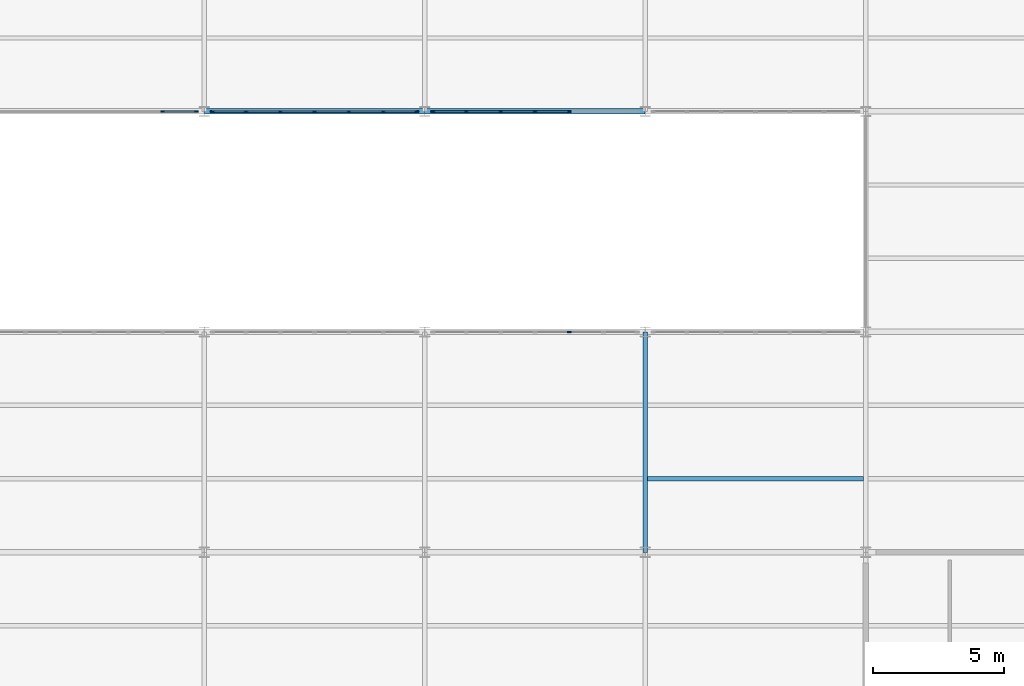
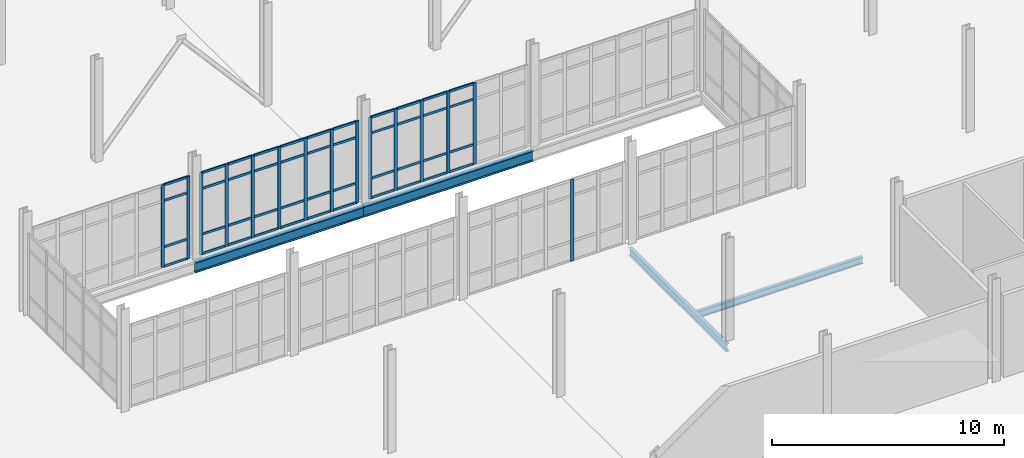
# One storey, part 34 of 111: 59 members, 4 beams, 4 elements without a shape of their own.
"""IFC4 building model written with IfcOpenShell, lengths in metres."""

from ifc_helpers import new_model, si_unit, direction, frame, origin, origin_2d, place, context, subcontext, project, spatial, rectangle, i_section, extrude, material, layer, layer_set, material_profile, profile_set, type_object, element, aggregate, save


model = new_model("IFC4")

# Units and contexts
model_context = context("Model", 3, precision=1e-05, world=origin(), true_north=direction((0.0, 1.0)))
body_context = subcontext(model_context, "Body", "Model", "MODEL_VIEW")
ifc_project = project(units=[si_unit("LENGTHUNIT", "METRE"), si_unit("AREAUNIT", "SQUARE_METRE"), si_unit("VOLUMEUNIT", "CUBIC_METRE"), si_unit("PLANEANGLEUNIT", "RADIAN"), si_unit("MASSUNIT", "GRAM", prefix="KILO"), si_unit("THERMODYNAMICTEMPERATUREUNIT", "KELVIN"), si_unit("POWERUNIT", "WATT")], contexts=[model_context])

# Site, building, storey
site_placement = place(None, origin())
site = spatial("IfcSite", under=ifc_project, at=site_placement, CompositionType="ELEMENT")
building_placement = place(site_placement, origin())
building = spatial("IfcBuilding", under=site, at=building_placement, Name="Tembeka Court Mobility Hub", CompositionType="ELEMENT")
storey_placement = place(building_placement, origin())
storey = spatial("IfcBuildingStorey", under=building, at=storey_placement, Name="L00", CompositionType="ELEMENT", Elevation=0.0)

# Beams
ifc_material_1 = material(Name="Steel S355", Category="steel")
ifc_material_profile_1 = material_profile(ifc_material_1, i_section(OverallWidth=0.177978515625, OverallDepth=0.406005859375, WebThickness=0.0078125, FlangeThickness=0.0126953125, FilletRadius=0.01025390625, at=origin_2d()), Name="UKB 406x178x60")
ifc_profile_set_1 = profile_set([ifc_material_profile_1], Name="Steel S355")
beam_type_1 = type_object("IfcBeamType", Name="BM-B02", PredefinedType="BEAM", material=ifc_profile_set_1)
beam_1_placement = place(storey_placement, frame((50.39990234375, 46.800048828125, -0.48291015625), z_axis=(0.0, 1.0, 0.0), x_axis=(-1.0, 0.0, 0.0)))
element("IfcBeam", 1, at=beam_1_placement, inside=storey, type_object=beam_type_1, Name="Beam B02 (BM-L00-Y0222)", PredefinedType="BEAM", context=body_context, shape_type="SweptSolid", body=[
    extrude(i_section(OverallWidth=0.177978515625, OverallDepth=0.406005859375, WebThickness=0.0078125, FlangeThickness=0.0126953125, FilletRadius=0.01025390625, at=origin_2d()), origin(), (0.0, 0.0, 1.0), 8.39990234375),
])
ifc_material_profile_2 = material_profile(ifc_material_1, i_section(OverallWidth=0.2099609375, OverallDepth=0.537109375, WebThickness=0.0107421875, FlangeThickness=0.017333984375, FilletRadius=0.0126953125, at=origin_2d()), Name="UKB 533x210x101")
ifc_profile_set_2 = profile_set([ifc_material_profile_2], Name="Steel S355")
beam_type_2 = type_object("IfcBeamType", Name="BM-G03", PredefinedType="USERDEFINED", material=ifc_profile_set_2)
for number, where, z_axis, x_axis, name in (
    (2, (33.60009765625, 63.60009765625, -0.548583984375), (1.0, 0.0, 0.0), (0.0, 1.0, 0.0), "Beam G03 (BM-L00-X0094)"),
    (3, (42.0, 63.60009765625, -0.548583984375), (1.0, 0.0, 0.0), (0.0, 1.0, 0.0), "Beam G03 (BM-L00-X0095)"),
):
    element("IfcBeam", number, at=place(storey_placement, frame(where, z_axis=z_axis, x_axis=x_axis)), inside=storey, type_object=beam_type_2, Name=name, ObjectType="GIRDER", PredefinedType="USERDEFINED", context=body_context, shape_type="SweptSolid", body=[
        extrude(i_section(OverallWidth=0.2099609375, OverallDepth=0.537109375, WebThickness=0.0107421875, FlangeThickness=0.017333984375, FilletRadius=0.0126953125, at=origin_2d()), origin(), (0.0, 0.0, 1.0), 8.39990234375),
    ])
ifc_material_profile_3 = material_profile(ifc_material_1, i_section(OverallWidth=0.169921875, OverallDepth=0.360107421875, WebThickness=0.008056640625, FlangeThickness=0.0126953125, FilletRadius=0.01806640625, at=origin_2d()), Name="IPE 360")
ifc_profile_set_3 = profile_set([ifc_material_profile_3], Name="Steel S355")
beam_type_3 = type_object("IfcBeamType", Name="BM-J03", PredefinedType="JOIST", material=ifc_profile_set_3)
beam_2_placement = place(storey_placement, frame((50.48388671875, 49.60009765625, -0.4599609375), z_axis=(1.0, 0.0, 0.0), x_axis=(0.0, 1.0, 0.0)))
element("IfcBeam", 4, at=beam_2_placement, inside=storey, type_object=beam_type_3, Name="Beam J03 (JST-L00-0439)", PredefinedType="JOIST", context=body_context, shape_type="SweptSolid", body=[
    extrude(i_section(OverallWidth=0.169921875, OverallDepth=0.360107421875, WebThickness=0.008056640625, FlangeThickness=0.0126953125, FilletRadius=0.01806640625, at=origin_2d()), origin(), (0.0, 0.0, 1.0), 8.232177734375),
])

# Curtain wall, members
ifc_material_2 = material(Name="Anodised aluminium 6063-T6", Category="aluminium")
ifc_layer_1 = layer(ifc_material_2, 0.159912109375)
ifc_layer_set_1 = layer_set([ifc_layer_1], Name="Anodised aluminium 6063-T6")
curtain_wall_type_1 = type_object("IfcCurtainWallType", Name="CW-SYS01", PredefinedType="USERDEFINED", material=ifc_layer_set_1)
curtain_wall_1_placement = place(storey_placement, origin())
curtain_wall_1 = element("IfcCurtainWall", 5, at=curtain_wall_1_placement, inside=storey, type_object=curtain_wall_type_1, Name="Unitised curtain wall CW01 (CW-L00-036)", ObjectType="UNITISED GLAZING", PredefinedType="USERDEFINED")
ifc_material_profile_4 = material_profile(ifc_material_2, rectangle(XDim=0.06494140625, YDim=0.159912109375, at=origin_2d()), Name="ALU-MUL 65x160")
ifc_profile_set_4 = profile_set([ifc_material_profile_4], Name="Anodised aluminium 6063-T6")
member_type_1 = type_object("IfcMemberType", Name="CW-MUL01", PredefinedType="MULLION", material=ifc_profile_set_4)
member_1_placement = place(storey_placement, frame((32.013427734375, 63.60009765625, 0.0), z_axis=(0.0, 0.0, 1.0), x_axis=(0.0, 1.0, 0.0)))
member_1 = element("IfcMember", 6, at=member_1_placement, type_object=member_type_1, Name="CW01 mullion 6", PredefinedType="MULLION", context=body_context, shape_type="SweptSolid", body=[
    extrude(rectangle(XDim=0.06494140625, YDim=0.159912109375, at=origin_2d()), origin(), (0.0, 0.0, 1.0), 4.3349609375),
])
member_2_placement = place(storey_placement, frame((33.28759765625, 63.60009765625, 0.0), z_axis=(0.0, 0.0, 1.0), x_axis=(0.0, 1.0, 0.0)))
member_2 = element("IfcMember", 7, at=member_2_placement, type_object=member_type_1, Name="CW01 mullion 7", PredefinedType="MULLION", context=body_context, shape_type="SweptSolid", body=[
    extrude(rectangle(XDim=0.06494140625, YDim=0.159912109375, at=origin_2d()), origin(), (0.0, 0.0, 1.0), 4.3349609375),
])

ifc_layer_2 = layer(ifc_material_2, 0.159912109375)
ifc_layer_set_2 = layer_set([ifc_layer_2], Name="Anodised aluminium 6063-T6")
curtain_wall_type_2 = type_object("IfcCurtainWallType", Name="CW-SYS21", PredefinedType="USERDEFINED", material=ifc_layer_set_2)
curtain_wall_2_placement = place(storey_placement, origin())
curtain_wall_2 = element("IfcCurtainWall", 8, at=curtain_wall_2_placement, inside=storey, type_object=curtain_wall_type_2, Name="Unitised curtain wall CW21 (CW-L00-038)", ObjectType="UNITISED GLAZING", PredefinedType="USERDEFINED")
member_3_placement = place(storey_placement, frame((33.91259765625, 63.60009765625, 0.0), z_axis=(0.0, 0.0, 1.0), x_axis=(0.0, 1.0, 0.0)))
member_3 = element("IfcMember", 9, at=member_3_placement, type_object=member_type_1, Name="CW21 mullion 1", PredefinedType="MULLION", context=body_context, shape_type="SweptSolid", body=[
    extrude(rectangle(XDim=0.06494140625, YDim=0.159912109375, at=origin_2d()), origin(), (0.0, 0.0, 1.0), 4.304931640625),
])
member_4_placement = place(storey_placement, frame((35.186767578125, 63.60009765625, 0.0), z_axis=(0.0, 0.0, 1.0), x_axis=(0.0, 1.0, 0.0)))
member_4 = element("IfcMember", 10, at=member_4_placement, type_object=member_type_1, Name="CW21 mullion 2", PredefinedType="MULLION", context=body_context, shape_type="SweptSolid", body=[
    extrude(rectangle(XDim=0.06494140625, YDim=0.159912109375, at=origin_2d()), origin(), (0.0, 0.0, 1.0), 4.304931640625),
])
member_5_placement = place(storey_placement, frame((36.493408203125, 63.60009765625, 0.0), z_axis=(0.0, 0.0, 1.0), x_axis=(0.0, 1.0, 0.0)))
member_5 = element("IfcMember", 11, at=member_5_placement, type_object=member_type_1, Name="CW21 mullion 3", PredefinedType="MULLION", context=body_context, shape_type="SweptSolid", body=[
    extrude(rectangle(XDim=0.06494140625, YDim=0.159912109375, at=origin_2d()), origin(), (0.0, 0.0, 1.0), 4.304931640625),
])
member_6_placement = place(storey_placement, frame((37.800048828125, 63.60009765625, 0.0), z_axis=(0.0, 0.0, 1.0), x_axis=(0.0, 1.0, 0.0)))
member_6 = element("IfcMember", 12, at=member_6_placement, type_object=member_type_1, Name="CW21 mullion 4", PredefinedType="MULLION", context=body_context, shape_type="SweptSolid", body=[
    extrude(rectangle(XDim=0.06494140625, YDim=0.159912109375, at=origin_2d()), origin(), (0.0, 0.0, 1.0), 4.304931640625),
])
member_7_placement = place(storey_placement, frame((39.106689453125, 63.60009765625, 0.0), z_axis=(0.0, 0.0, 1.0), x_axis=(0.0, 1.0, 0.0)))
member_7 = element("IfcMember", 13, at=member_7_placement, type_object=member_type_1, Name="CW21 mullion 5", PredefinedType="MULLION", context=body_context, shape_type="SweptSolid", body=[
    extrude(rectangle(XDim=0.06494140625, YDim=0.159912109375, at=origin_2d()), origin(), (0.0, 0.0, 1.0), 4.304931640625),
])
member_8_placement = place(storey_placement, frame((40.413330078125, 63.60009765625, 0.0), z_axis=(0.0, 0.0, 1.0), x_axis=(0.0, 1.0, 0.0)))
member_8 = element("IfcMember", 14, at=member_8_placement, type_object=member_type_1, Name="CW21 mullion 6", PredefinedType="MULLION", context=body_context, shape_type="SweptSolid", body=[
    extrude(rectangle(XDim=0.06494140625, YDim=0.159912109375, at=origin_2d()), origin(), (0.0, 0.0, 1.0), 4.304931640625),
])
member_9_placement = place(storey_placement, frame((41.6875, 63.60009765625, 0.0), z_axis=(0.0, 0.0, 1.0), x_axis=(0.0, 1.0, 0.0)))
member_9 = element("IfcMember", 15, at=member_9_placement, type_object=member_type_1, Name="CW21 mullion 7", PredefinedType="MULLION", context=body_context, shape_type="SweptSolid", body=[
    extrude(rectangle(XDim=0.06494140625, YDim=0.159912109375, at=origin_2d()), origin(), (0.0, 0.0, 1.0), 4.304931640625),
])

# Curtain wall, member
curtain_wall_3_placement = place(storey_placement, origin())
curtain_wall_3 = element("IfcCurtainWall", 16, at=curtain_wall_3_placement, inside=storey, type_object=curtain_wall_type_2, Name="Unitised curtain wall CW21 (CW-L00-039)", ObjectType="UNITISED GLAZING", PredefinedType="USERDEFINED")
member_10_placement = place(storey_placement, frame((47.506591796875, 55.199951171875, 0.0), z_axis=(0.0, 0.0, 1.0), x_axis=(0.0, 1.0, 0.0)))
member_10 = element("IfcMember", 17, at=member_10_placement, type_object=member_type_1, Name="CW21 mullion 5", PredefinedType="MULLION", context=body_context, shape_type="SweptSolid", body=[
    extrude(rectangle(XDim=0.06494140625, YDim=0.159912109375, at=origin_2d()), origin(), (0.0, 0.0, 1.0), 4.294921875),
])
aggregate(curtain_wall_3, [member_10])

# Curtain wall, members
ifc_layer_3 = layer(ifc_material_2, 0.159912109375)
ifc_layer_set_3 = layer_set([ifc_layer_3], Name="Anodised aluminium 6063-T6")
curtain_wall_type_3 = type_object("IfcCurtainWallType", Name="CW-SYS22", PredefinedType="USERDEFINED", material=ifc_layer_set_3)
curtain_wall_4_placement = place(storey_placement, origin())
curtain_wall_4 = element("IfcCurtainWall", 18, at=curtain_wall_4_placement, inside=storey, type_object=curtain_wall_type_3, Name="Unitised curtain wall CW22 (CW-L00-040)", ObjectType="UNITISED GLAZING", PredefinedType="USERDEFINED")
member_11_placement = place(storey_placement, frame((42.3125, 63.60009765625, 0.0), z_axis=(0.0, 0.0, 1.0), x_axis=(0.0, 1.0, 0.0)))
member_11 = element("IfcMember", 19, at=member_11_placement, type_object=member_type_1, Name="CW22 mullion 1", PredefinedType="MULLION", context=body_context, shape_type="SweptSolid", body=[
    extrude(rectangle(XDim=0.06494140625, YDim=0.159912109375, at=origin_2d()), origin(), (0.0, 0.0, 1.0), 4.27490234375),
])
member_12_placement = place(storey_placement, frame((43.586669921875, 63.60009765625, 0.0), z_axis=(0.0, 0.0, 1.0), x_axis=(0.0, 1.0, 0.0)))
member_12 = element("IfcMember", 20, at=member_12_placement, type_object=member_type_1, Name="CW22 mullion 2", PredefinedType="MULLION", context=body_context, shape_type="SweptSolid", body=[
    extrude(rectangle(XDim=0.06494140625, YDim=0.159912109375, at=origin_2d()), origin(), (0.0, 0.0, 1.0), 4.27490234375),
])
member_13_placement = place(storey_placement, frame((44.893310546875, 63.60009765625, 0.0), z_axis=(0.0, 0.0, 1.0), x_axis=(0.0, 1.0, 0.0)))
member_13 = element("IfcMember", 21, at=member_13_placement, type_object=member_type_1, Name="CW22 mullion 3", PredefinedType="MULLION", context=body_context, shape_type="SweptSolid", body=[
    extrude(rectangle(XDim=0.06494140625, YDim=0.159912109375, at=origin_2d()), origin(), (0.0, 0.0, 1.0), 4.27490234375),
])
member_14_placement = place(storey_placement, frame((46.199951171875, 63.60009765625, 0.0), z_axis=(0.0, 0.0, 1.0), x_axis=(0.0, 1.0, 0.0)))
member_14 = element("IfcMember", 22, at=member_14_placement, type_object=member_type_1, Name="CW22 mullion 4", PredefinedType="MULLION", context=body_context, shape_type="SweptSolid", body=[
    extrude(rectangle(XDim=0.06494140625, YDim=0.159912109375, at=origin_2d()), origin(), (0.0, 0.0, 1.0), 4.27490234375),
])
member_15_placement = place(storey_placement, frame((47.506591796875, 63.60009765625, 0.0), z_axis=(0.0, 0.0, 1.0), x_axis=(0.0, 1.0, 0.0)))
member_15 = element("IfcMember", 23, at=member_15_placement, type_object=member_type_1, Name="CW22 mullion 5", PredefinedType="MULLION", context=body_context, shape_type="SweptSolid", body=[
    extrude(rectangle(XDim=0.06494140625, YDim=0.159912109375, at=origin_2d()), origin(), (0.0, 0.0, 1.0), 4.27490234375),
])

# Member
ifc_material_profile_5 = material_profile(ifc_material_2, rectangle(XDim=0.06494140625, YDim=0.1201171875, at=origin_2d()), Name="ALU-TRN 65x120")
ifc_profile_set_5 = profile_set([ifc_material_profile_5], Name="Anodised aluminium 6063-T6")
member_type_2 = type_object("IfcMemberType", Name="CW-TRN01", PredefinedType="USERDEFINED", material=ifc_profile_set_5)
member_16_placement = place(storey_placement, frame((32.0458984375, 63.60009765625, 0.032470703125), z_axis=(1.0, 0.0, 0.0), x_axis=(0.0, 1.0, 0.0)))
member_16 = element("IfcMember", 24, at=member_16_placement, type_object=member_type_2, Name="CW01 transom 6.1", ObjectType="TRANSOM", PredefinedType="USERDEFINED", context=body_context, shape_type="SweptSolid", body=[
    extrude(rectangle(XDim=0.06494140625, YDim=0.1201171875, at=origin_2d()), origin(), (0.0, 0.0, 1.0), 1.208984375),
])

member_17_placement = place(storey_placement, frame((32.0458984375, 63.60009765625, 1.050048828125), z_axis=(1.0, 0.0, 0.0), x_axis=(0.0, 1.0, 0.0)))
member_17 = element("IfcMember", 25, at=member_17_placement, type_object=member_type_2, Name="CW01 transom 6.2", ObjectType="TRANSOM", PredefinedType="USERDEFINED", context=body_context, shape_type="SweptSolid", body=[
    extrude(rectangle(XDim=0.06494140625, YDim=0.1201171875, at=origin_2d()), origin(), (0.0, 0.0, 1.0), 1.208984375),
])

member_18_placement = place(storey_placement, frame((32.0458984375, 63.60009765625, 3.485107421875), z_axis=(1.0, 0.0, 0.0), x_axis=(0.0, 1.0, 0.0)))
member_18 = element("IfcMember", 26, at=member_18_placement, type_object=member_type_2, Name="CW01 transom 6.3", ObjectType="TRANSOM", PredefinedType="USERDEFINED", context=body_context, shape_type="SweptSolid", body=[
    extrude(rectangle(XDim=0.06494140625, YDim=0.1201171875, at=origin_2d()), origin(), (0.0, 0.0, 1.0), 1.208984375),
])

member_19_placement = place(storey_placement, frame((32.0458984375, 63.60009765625, 4.302490234375), z_axis=(1.0, 0.0, 0.0), x_axis=(0.0, 1.0, 0.0)))
member_19 = element("IfcMember", 27, at=member_19_placement, type_object=member_type_2, Name="CW01 transom 6.4", ObjectType="TRANSOM", PredefinedType="USERDEFINED", context=body_context, shape_type="SweptSolid", body=[
    extrude(rectangle(XDim=0.06494140625, YDim=0.1201171875, at=origin_2d()), origin(), (0.0, 0.0, 1.0), 1.208984375),
])

aggregate(curtain_wall_1, [member_1, member_2, member_16, member_17, member_18, member_19])

member_20_placement = place(storey_placement, frame((33.945068359375, 63.60009765625, 0.032470703125), z_axis=(1.0, 0.0, 0.0), x_axis=(0.0, 1.0, 0.0)))
member_20 = element("IfcMember", 28, at=member_20_placement, type_object=member_type_2, Name="CW21 transom 1.1", ObjectType="TRANSOM", PredefinedType="USERDEFINED", context=body_context, shape_type="SweptSolid", body=[
    extrude(rectangle(XDim=0.06494140625, YDim=0.1201171875, at=origin_2d()), origin(), (0.0, 0.0, 1.0), 1.208984375),
])

member_21_placement = place(storey_placement, frame((33.945068359375, 63.60009765625, 1.050048828125), z_axis=(1.0, 0.0, 0.0), x_axis=(0.0, 1.0, 0.0)))
member_21 = element("IfcMember", 29, at=member_21_placement, type_object=member_type_2, Name="CW21 transom 1.2", ObjectType="TRANSOM", PredefinedType="USERDEFINED", context=body_context, shape_type="SweptSolid", body=[
    extrude(rectangle(XDim=0.06494140625, YDim=0.1201171875, at=origin_2d()), origin(), (0.0, 0.0, 1.0), 1.208984375),
])

member_22_placement = place(storey_placement, frame((33.945068359375, 63.60009765625, 3.455078125), z_axis=(1.0, 0.0, 0.0), x_axis=(0.0, 1.0, 0.0)))
member_22 = element("IfcMember", 30, at=member_22_placement, type_object=member_type_2, Name="CW21 transom 1.3", ObjectType="TRANSOM", PredefinedType="USERDEFINED", context=body_context, shape_type="SweptSolid", body=[
    extrude(rectangle(XDim=0.06494140625, YDim=0.1201171875, at=origin_2d()), origin(), (0.0, 0.0, 1.0), 1.208984375),
])

member_23_placement = place(storey_placement, frame((33.945068359375, 63.60009765625, 4.2724609375), z_axis=(1.0, 0.0, 0.0), x_axis=(0.0, 1.0, 0.0)))
member_23 = element("IfcMember", 31, at=member_23_placement, type_object=member_type_2, Name="CW21 transom 1.4", ObjectType="TRANSOM", PredefinedType="USERDEFINED", context=body_context, shape_type="SweptSolid", body=[
    extrude(rectangle(XDim=0.06494140625, YDim=0.1201171875, at=origin_2d()), origin(), (0.0, 0.0, 1.0), 1.208984375),
])

member_24_placement = place(storey_placement, frame((35.21923828125, 63.60009765625, 0.032470703125), z_axis=(1.0, 0.0, 0.0), x_axis=(0.0, 1.0, 0.0)))
member_24 = element("IfcMember", 32, at=member_24_placement, type_object=member_type_2, Name="CW21 transom 2.1", ObjectType="TRANSOM", PredefinedType="USERDEFINED", context=body_context, shape_type="SweptSolid", body=[
    extrude(rectangle(XDim=0.06494140625, YDim=0.1201171875, at=origin_2d()), origin(), (0.0, 0.0, 1.0), 1.24169921875),
])

member_25_placement = place(storey_placement, frame((35.21923828125, 63.60009765625, 1.050048828125), z_axis=(1.0, 0.0, 0.0), x_axis=(0.0, 1.0, 0.0)))
member_25 = element("IfcMember", 33, at=member_25_placement, type_object=member_type_2, Name="CW21 transom 2.2", ObjectType="TRANSOM", PredefinedType="USERDEFINED", context=body_context, shape_type="SweptSolid", body=[
    extrude(rectangle(XDim=0.06494140625, YDim=0.1201171875, at=origin_2d()), origin(), (0.0, 0.0, 1.0), 1.24169921875),
])

member_26_placement = place(storey_placement, frame((35.21923828125, 63.60009765625, 3.455078125), z_axis=(1.0, 0.0, 0.0), x_axis=(0.0, 1.0, 0.0)))
member_26 = element("IfcMember", 34, at=member_26_placement, type_object=member_type_2, Name="CW21 transom 2.3", ObjectType="TRANSOM", PredefinedType="USERDEFINED", context=body_context, shape_type="SweptSolid", body=[
    extrude(rectangle(XDim=0.06494140625, YDim=0.1201171875, at=origin_2d()), origin(), (0.0, 0.0, 1.0), 1.24169921875),
])

member_27_placement = place(storey_placement, frame((35.21923828125, 63.60009765625, 4.2724609375), z_axis=(1.0, 0.0, 0.0), x_axis=(0.0, 1.0, 0.0)))
member_27 = element("IfcMember", 35, at=member_27_placement, type_object=member_type_2, Name="CW21 transom 2.4", ObjectType="TRANSOM", PredefinedType="USERDEFINED", context=body_context, shape_type="SweptSolid", body=[
    extrude(rectangle(XDim=0.06494140625, YDim=0.1201171875, at=origin_2d()), origin(), (0.0, 0.0, 1.0), 1.24169921875),
])

member_28_placement = place(storey_placement, frame((36.52587890625, 63.60009765625, 0.032470703125), z_axis=(1.0, 0.0, 0.0), x_axis=(0.0, 1.0, 0.0)))
member_28 = element("IfcMember", 36, at=member_28_placement, type_object=member_type_2, Name="CW21 transom 3.1", ObjectType="TRANSOM", PredefinedType="USERDEFINED", context=body_context, shape_type="SweptSolid", body=[
    extrude(rectangle(XDim=0.06494140625, YDim=0.1201171875, at=origin_2d()), origin(), (0.0, 0.0, 1.0), 1.24169921875),
])

member_29_placement = place(storey_placement, frame((36.52587890625, 63.60009765625, 1.050048828125), z_axis=(1.0, 0.0, 0.0), x_axis=(0.0, 1.0, 0.0)))
member_29 = element("IfcMember", 37, at=member_29_placement, type_object=member_type_2, Name="CW21 transom 3.2", ObjectType="TRANSOM", PredefinedType="USERDEFINED", context=body_context, shape_type="SweptSolid", body=[
    extrude(rectangle(XDim=0.06494140625, YDim=0.1201171875, at=origin_2d()), origin(), (0.0, 0.0, 1.0), 1.24169921875),
])

member_30_placement = place(storey_placement, frame((36.52587890625, 63.60009765625, 3.455078125), z_axis=(1.0, 0.0, 0.0), x_axis=(0.0, 1.0, 0.0)))
member_30 = element("IfcMember", 38, at=member_30_placement, type_object=member_type_2, Name="CW21 transom 3.3", ObjectType="TRANSOM", PredefinedType="USERDEFINED", context=body_context, shape_type="SweptSolid", body=[
    extrude(rectangle(XDim=0.06494140625, YDim=0.1201171875, at=origin_2d()), origin(), (0.0, 0.0, 1.0), 1.24169921875),
])

member_31_placement = place(storey_placement, frame((36.52587890625, 63.60009765625, 4.2724609375), z_axis=(1.0, 0.0, 0.0), x_axis=(0.0, 1.0, 0.0)))
member_31 = element("IfcMember", 39, at=member_31_placement, type_object=member_type_2, Name="CW21 transom 3.4", ObjectType="TRANSOM", PredefinedType="USERDEFINED", context=body_context, shape_type="SweptSolid", body=[
    extrude(rectangle(XDim=0.06494140625, YDim=0.1201171875, at=origin_2d()), origin(), (0.0, 0.0, 1.0), 1.24169921875),
])

member_32_placement = place(storey_placement, frame((37.83251953125, 63.60009765625, 0.032470703125), z_axis=(1.0, 0.0, 0.0), x_axis=(0.0, 1.0, 0.0)))
member_32 = element("IfcMember", 40, at=member_32_placement, type_object=member_type_2, Name="CW21 transom 4.1", ObjectType="TRANSOM", PredefinedType="USERDEFINED", context=body_context, shape_type="SweptSolid", body=[
    extrude(rectangle(XDim=0.06494140625, YDim=0.1201171875, at=origin_2d()), origin(), (0.0, 0.0, 1.0), 1.24169921875),
])

member_33_placement = place(storey_placement, frame((37.83251953125, 63.60009765625, 1.050048828125), z_axis=(1.0, 0.0, 0.0), x_axis=(0.0, 1.0, 0.0)))
member_33 = element("IfcMember", 41, at=member_33_placement, type_object=member_type_2, Name="CW21 transom 4.2", ObjectType="TRANSOM", PredefinedType="USERDEFINED", context=body_context, shape_type="SweptSolid", body=[
    extrude(rectangle(XDim=0.06494140625, YDim=0.1201171875, at=origin_2d()), origin(), (0.0, 0.0, 1.0), 1.24169921875),
])

member_34_placement = place(storey_placement, frame((37.83251953125, 63.60009765625, 3.455078125), z_axis=(1.0, 0.0, 0.0), x_axis=(0.0, 1.0, 0.0)))
member_34 = element("IfcMember", 42, at=member_34_placement, type_object=member_type_2, Name="CW21 transom 4.3", ObjectType="TRANSOM", PredefinedType="USERDEFINED", context=body_context, shape_type="SweptSolid", body=[
    extrude(rectangle(XDim=0.06494140625, YDim=0.1201171875, at=origin_2d()), origin(), (0.0, 0.0, 1.0), 1.24169921875),
])

member_35_placement = place(storey_placement, frame((37.83251953125, 63.60009765625, 4.2724609375), z_axis=(1.0, 0.0, 0.0), x_axis=(0.0, 1.0, 0.0)))
member_35 = element("IfcMember", 43, at=member_35_placement, type_object=member_type_2, Name="CW21 transom 4.4", ObjectType="TRANSOM", PredefinedType="USERDEFINED", context=body_context, shape_type="SweptSolid", body=[
    extrude(rectangle(XDim=0.06494140625, YDim=0.1201171875, at=origin_2d()), origin(), (0.0, 0.0, 1.0), 1.24169921875),
])

member_36_placement = place(storey_placement, frame((39.13916015625, 63.60009765625, 0.032470703125), z_axis=(1.0, 0.0, 0.0), x_axis=(0.0, 1.0, 0.0)))
member_36 = element("IfcMember", 44, at=member_36_placement, type_object=member_type_2, Name="CW21 transom 5.1", ObjectType="TRANSOM", PredefinedType="USERDEFINED", context=body_context, shape_type="SweptSolid", body=[
    extrude(rectangle(XDim=0.06494140625, YDim=0.1201171875, at=origin_2d()), origin(), (0.0, 0.0, 1.0), 1.24169921875),
])

member_37_placement = place(storey_placement, frame((39.13916015625, 63.60009765625, 1.050048828125), z_axis=(1.0, 0.0, 0.0), x_axis=(0.0, 1.0, 0.0)))
member_37 = element("IfcMember", 45, at=member_37_placement, type_object=member_type_2, Name="CW21 transom 5.2", ObjectType="TRANSOM", PredefinedType="USERDEFINED", context=body_context, shape_type="SweptSolid", body=[
    extrude(rectangle(XDim=0.06494140625, YDim=0.1201171875, at=origin_2d()), origin(), (0.0, 0.0, 1.0), 1.24169921875),
])

member_38_placement = place(storey_placement, frame((39.13916015625, 63.60009765625, 3.455078125), z_axis=(1.0, 0.0, 0.0), x_axis=(0.0, 1.0, 0.0)))
member_38 = element("IfcMember", 46, at=member_38_placement, type_object=member_type_2, Name="CW21 transom 5.3", ObjectType="TRANSOM", PredefinedType="USERDEFINED", context=body_context, shape_type="SweptSolid", body=[
    extrude(rectangle(XDim=0.06494140625, YDim=0.1201171875, at=origin_2d()), origin(), (0.0, 0.0, 1.0), 1.24169921875),
])

member_39_placement = place(storey_placement, frame((39.13916015625, 63.60009765625, 4.2724609375), z_axis=(1.0, 0.0, 0.0), x_axis=(0.0, 1.0, 0.0)))
member_39 = element("IfcMember", 47, at=member_39_placement, type_object=member_type_2, Name="CW21 transom 5.4", ObjectType="TRANSOM", PredefinedType="USERDEFINED", context=body_context, shape_type="SweptSolid", body=[
    extrude(rectangle(XDim=0.06494140625, YDim=0.1201171875, at=origin_2d()), origin(), (0.0, 0.0, 1.0), 1.24169921875),
])

member_40_placement = place(storey_placement, frame((40.44580078125, 63.60009765625, 0.032470703125), z_axis=(1.0, 0.0, 0.0), x_axis=(0.0, 1.0, 0.0)))
member_40 = element("IfcMember", 48, at=member_40_placement, type_object=member_type_2, Name="CW21 transom 6.1", ObjectType="TRANSOM", PredefinedType="USERDEFINED", context=body_context, shape_type="SweptSolid", body=[
    extrude(rectangle(XDim=0.06494140625, YDim=0.1201171875, at=origin_2d()), origin(), (0.0, 0.0, 1.0), 1.209228515625),
])

member_41_placement = place(storey_placement, frame((40.44580078125, 63.60009765625, 1.050048828125), z_axis=(1.0, 0.0, 0.0), x_axis=(0.0, 1.0, 0.0)))
member_41 = element("IfcMember", 49, at=member_41_placement, type_object=member_type_2, Name="CW21 transom 6.2", ObjectType="TRANSOM", PredefinedType="USERDEFINED", context=body_context, shape_type="SweptSolid", body=[
    extrude(rectangle(XDim=0.06494140625, YDim=0.1201171875, at=origin_2d()), origin(), (0.0, 0.0, 1.0), 1.209228515625),
])

member_42_placement = place(storey_placement, frame((40.44580078125, 63.60009765625, 3.455078125), z_axis=(1.0, 0.0, 0.0), x_axis=(0.0, 1.0, 0.0)))
member_42 = element("IfcMember", 50, at=member_42_placement, type_object=member_type_2, Name="CW21 transom 6.3", ObjectType="TRANSOM", PredefinedType="USERDEFINED", context=body_context, shape_type="SweptSolid", body=[
    extrude(rectangle(XDim=0.06494140625, YDim=0.1201171875, at=origin_2d()), origin(), (0.0, 0.0, 1.0), 1.209228515625),
])

member_43_placement = place(storey_placement, frame((40.44580078125, 63.60009765625, 4.2724609375), z_axis=(1.0, 0.0, 0.0), x_axis=(0.0, 1.0, 0.0)))
member_43 = element("IfcMember", 51, at=member_43_placement, type_object=member_type_2, Name="CW21 transom 6.4", ObjectType="TRANSOM", PredefinedType="USERDEFINED", context=body_context, shape_type="SweptSolid", body=[
    extrude(rectangle(XDim=0.06494140625, YDim=0.1201171875, at=origin_2d()), origin(), (0.0, 0.0, 1.0), 1.209228515625),
])

aggregate(curtain_wall_2, [member_3, member_4, member_5, member_6, member_7, member_8, member_9, member_20, member_21, member_22, member_23, member_24, member_25, member_26, member_27, member_28, member_29, member_30, member_31, member_32, member_33, member_34, member_35, member_36, member_37, member_38, member_39, member_40, member_41, member_42, member_43])

member_44_placement = place(storey_placement, frame((42.344970703125, 63.60009765625, 0.032470703125), z_axis=(1.0, 0.0, 0.0), x_axis=(0.0, 1.0, 0.0)))
member_44 = element("IfcMember", 52, at=member_44_placement, type_object=member_type_2, Name="CW22 transom 1.1", ObjectType="TRANSOM", PredefinedType="USERDEFINED", context=body_context, shape_type="SweptSolid", body=[
    extrude(rectangle(XDim=0.06494140625, YDim=0.1201171875, at=origin_2d()), origin(), (0.0, 0.0, 1.0), 1.209228515625),
])

member_45_placement = place(storey_placement, frame((42.344970703125, 63.60009765625, 1.050048828125), z_axis=(1.0, 0.0, 0.0), x_axis=(0.0, 1.0, 0.0)))
member_45 = element("IfcMember", 53, at=member_45_placement, type_object=member_type_2, Name="CW22 transom 1.2", ObjectType="TRANSOM", PredefinedType="USERDEFINED", context=body_context, shape_type="SweptSolid", body=[
    extrude(rectangle(XDim=0.06494140625, YDim=0.1201171875, at=origin_2d()), origin(), (0.0, 0.0, 1.0), 1.209228515625),
])

member_46_placement = place(storey_placement, frame((42.344970703125, 63.60009765625, 3.425048828125), z_axis=(1.0, 0.0, 0.0), x_axis=(0.0, 1.0, 0.0)))
member_46 = element("IfcMember", 54, at=member_46_placement, type_object=member_type_2, Name="CW22 transom 1.3", ObjectType="TRANSOM", PredefinedType="USERDEFINED", context=body_context, shape_type="SweptSolid", body=[
    extrude(rectangle(XDim=0.06494140625, YDim=0.1201171875, at=origin_2d()), origin(), (0.0, 0.0, 1.0), 1.209228515625),
])

member_47_placement = place(storey_placement, frame((42.344970703125, 63.60009765625, 4.242431640625), z_axis=(1.0, 0.0, 0.0), x_axis=(0.0, 1.0, 0.0)))
member_47 = element("IfcMember", 55, at=member_47_placement, type_object=member_type_2, Name="CW22 transom 1.4", ObjectType="TRANSOM", PredefinedType="USERDEFINED", context=body_context, shape_type="SweptSolid", body=[
    extrude(rectangle(XDim=0.06494140625, YDim=0.1201171875, at=origin_2d()), origin(), (0.0, 0.0, 1.0), 1.209228515625),
])

member_48_placement = place(storey_placement, frame((43.619140625, 63.60009765625, 0.032470703125), z_axis=(1.0, 0.0, 0.0), x_axis=(0.0, 1.0, 0.0)))
member_48 = element("IfcMember", 56, at=member_48_placement, type_object=member_type_2, Name="CW22 transom 2.1", ObjectType="TRANSOM", PredefinedType="USERDEFINED", context=body_context, shape_type="SweptSolid", body=[
    extrude(rectangle(XDim=0.06494140625, YDim=0.1201171875, at=origin_2d()), origin(), (0.0, 0.0, 1.0), 1.24169921875),
])

member_49_placement = place(storey_placement, frame((43.619140625, 63.60009765625, 1.050048828125), z_axis=(1.0, 0.0, 0.0), x_axis=(0.0, 1.0, 0.0)))
member_49 = element("IfcMember", 57, at=member_49_placement, type_object=member_type_2, Name="CW22 transom 2.2", ObjectType="TRANSOM", PredefinedType="USERDEFINED", context=body_context, shape_type="SweptSolid", body=[
    extrude(rectangle(XDim=0.06494140625, YDim=0.1201171875, at=origin_2d()), origin(), (0.0, 0.0, 1.0), 1.24169921875),
])

member_50_placement = place(storey_placement, frame((43.619140625, 63.60009765625, 3.425048828125), z_axis=(1.0, 0.0, 0.0), x_axis=(0.0, 1.0, 0.0)))
member_50 = element("IfcMember", 58, at=member_50_placement, type_object=member_type_2, Name="CW22 transom 2.3", ObjectType="TRANSOM", PredefinedType="USERDEFINED", context=body_context, shape_type="SweptSolid", body=[
    extrude(rectangle(XDim=0.06494140625, YDim=0.1201171875, at=origin_2d()), origin(), (0.0, 0.0, 1.0), 1.24169921875),
])

member_51_placement = place(storey_placement, frame((43.619140625, 63.60009765625, 4.242431640625), z_axis=(1.0, 0.0, 0.0), x_axis=(0.0, 1.0, 0.0)))
member_51 = element("IfcMember", 59, at=member_51_placement, type_object=member_type_2, Name="CW22 transom 2.4", ObjectType="TRANSOM", PredefinedType="USERDEFINED", context=body_context, shape_type="SweptSolid", body=[
    extrude(rectangle(XDim=0.06494140625, YDim=0.1201171875, at=origin_2d()), origin(), (0.0, 0.0, 1.0), 1.24169921875),
])

member_52_placement = place(storey_placement, frame((44.92578125, 63.60009765625, 0.032470703125), z_axis=(1.0, 0.0, 0.0), x_axis=(0.0, 1.0, 0.0)))
member_52 = element("IfcMember", 60, at=member_52_placement, type_object=member_type_2, Name="CW22 transom 3.1", ObjectType="TRANSOM", PredefinedType="USERDEFINED", context=body_context, shape_type="SweptSolid", body=[
    extrude(rectangle(XDim=0.06494140625, YDim=0.1201171875, at=origin_2d()), origin(), (0.0, 0.0, 1.0), 1.24169921875),
])

member_53_placement = place(storey_placement, frame((44.92578125, 63.60009765625, 1.050048828125), z_axis=(1.0, 0.0, 0.0), x_axis=(0.0, 1.0, 0.0)))
member_53 = element("IfcMember", 61, at=member_53_placement, type_object=member_type_2, Name="CW22 transom 3.2", ObjectType="TRANSOM", PredefinedType="USERDEFINED", context=body_context, shape_type="SweptSolid", body=[
    extrude(rectangle(XDim=0.06494140625, YDim=0.1201171875, at=origin_2d()), origin(), (0.0, 0.0, 1.0), 1.24169921875),
])

member_54_placement = place(storey_placement, frame((44.92578125, 63.60009765625, 3.425048828125), z_axis=(1.0, 0.0, 0.0), x_axis=(0.0, 1.0, 0.0)))
member_54 = element("IfcMember", 62, at=member_54_placement, type_object=member_type_2, Name="CW22 transom 3.3", ObjectType="TRANSOM", PredefinedType="USERDEFINED", context=body_context, shape_type="SweptSolid", body=[
    extrude(rectangle(XDim=0.06494140625, YDim=0.1201171875, at=origin_2d()), origin(), (0.0, 0.0, 1.0), 1.24169921875),
])

member_55_placement = place(storey_placement, frame((44.92578125, 63.60009765625, 4.242431640625), z_axis=(1.0, 0.0, 0.0), x_axis=(0.0, 1.0, 0.0)))
member_55 = element("IfcMember", 63, at=member_55_placement, type_object=member_type_2, Name="CW22 transom 3.4", ObjectType="TRANSOM", PredefinedType="USERDEFINED", context=body_context, shape_type="SweptSolid", body=[
    extrude(rectangle(XDim=0.06494140625, YDim=0.1201171875, at=origin_2d()), origin(), (0.0, 0.0, 1.0), 1.24169921875),
])

member_56_placement = place(storey_placement, frame((46.232421875, 63.60009765625, 0.032470703125), z_axis=(1.0, 0.0, 0.0), x_axis=(0.0, 1.0, 0.0)))
member_56 = element("IfcMember", 64, at=member_56_placement, type_object=member_type_2, Name="CW22 transom 4.1", ObjectType="TRANSOM", PredefinedType="USERDEFINED", context=body_context, shape_type="SweptSolid", body=[
    extrude(rectangle(XDim=0.06494140625, YDim=0.1201171875, at=origin_2d()), origin(), (0.0, 0.0, 1.0), 1.24169921875),
])

member_57_placement = place(storey_placement, frame((46.232421875, 63.60009765625, 1.050048828125), z_axis=(1.0, 0.0, 0.0), x_axis=(0.0, 1.0, 0.0)))
member_57 = element("IfcMember", 65, at=member_57_placement, type_object=member_type_2, Name="CW22 transom 4.2", ObjectType="TRANSOM", PredefinedType="USERDEFINED", context=body_context, shape_type="SweptSolid", body=[
    extrude(rectangle(XDim=0.06494140625, YDim=0.1201171875, at=origin_2d()), origin(), (0.0, 0.0, 1.0), 1.24169921875),
])

member_58_placement = place(storey_placement, frame((46.232421875, 63.60009765625, 3.425048828125), z_axis=(1.0, 0.0, 0.0), x_axis=(0.0, 1.0, 0.0)))
member_58 = element("IfcMember", 66, at=member_58_placement, type_object=member_type_2, Name="CW22 transom 4.3", ObjectType="TRANSOM", PredefinedType="USERDEFINED", context=body_context, shape_type="SweptSolid", body=[
    extrude(rectangle(XDim=0.06494140625, YDim=0.1201171875, at=origin_2d()), origin(), (0.0, 0.0, 1.0), 1.24169921875),
])

member_59_placement = place(storey_placement, frame((46.232421875, 63.60009765625, 4.242431640625), z_axis=(1.0, 0.0, 0.0), x_axis=(0.0, 1.0, 0.0)))
member_59 = element("IfcMember", 67, at=member_59_placement, type_object=member_type_2, Name="CW22 transom 4.4", ObjectType="TRANSOM", PredefinedType="USERDEFINED", context=body_context, shape_type="SweptSolid", body=[
    extrude(rectangle(XDim=0.06494140625, YDim=0.1201171875, at=origin_2d()), origin(), (0.0, 0.0, 1.0), 1.24169921875),
])

aggregate(curtain_wall_4, [member_11, member_12, member_13, member_14, member_15, member_44, member_45, member_46, member_47, member_48, member_49, member_50, member_51, member_52, member_53, member_54, member_55, member_56, member_57, member_58, member_59])

save(model, "model.ifc")
